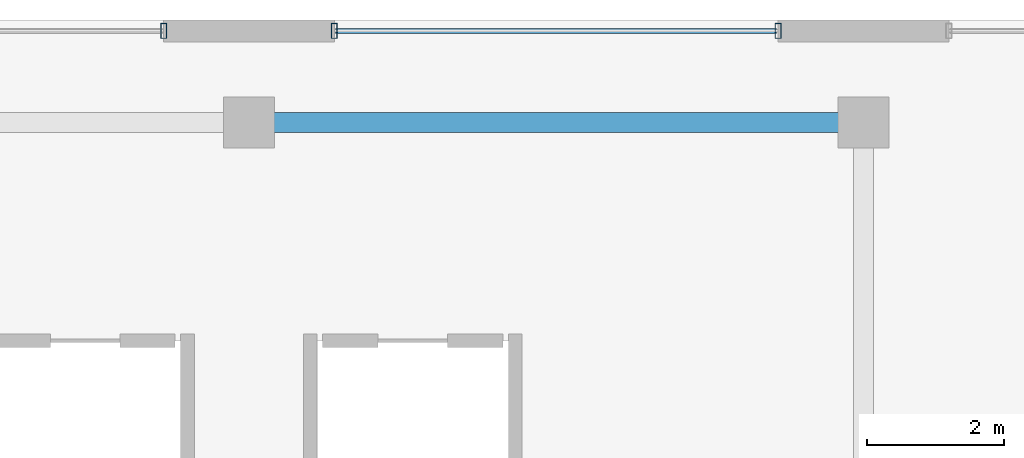
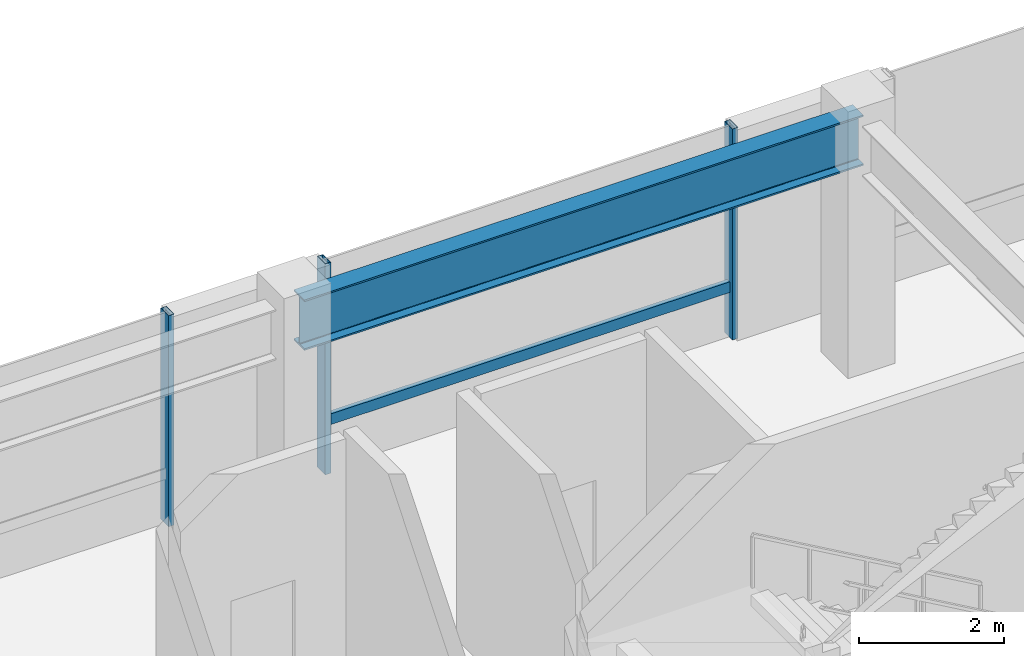
# One storey, part 7 of 24: 4 members, 1 beam, 2 elements without a shape of their own.
"""IFC4 building model written with IfcOpenShell, lengths in metres."""

from ifc_helpers import new_model, si_unit, direction, frame, origin, origin_2d, place, context, subcontext, project, spatial, hollow_rectangle, i_section, extrude, material, material_profile, profile_set, type_object, element, aggregate, save


model = new_model("IFC4")

# Units and contexts
model_context = context("Model", 3, precision=1e-05, world=origin(), true_north=direction((0.0, 1.0)))
body_context = subcontext(model_context, "Body", "Model", "MODEL_VIEW")
ifc_project = project(units=[si_unit("LENGTHUNIT", "METRE"), si_unit("AREAUNIT", "SQUARE_METRE"), si_unit("VOLUMEUNIT", "CUBIC_METRE"), si_unit("PLANEANGLEUNIT", "RADIAN"), si_unit("MASSUNIT", "GRAM", prefix="KILO")], contexts=[model_context])

# Site, building, storey
site_placement = place(None, origin())
site = spatial("IfcSite", under=ifc_project, at=site_placement, CompositionType="ELEMENT")
building_placement = place(site_placement, origin())
building = spatial("IfcBuilding", under=site, at=building_placement, Name="Thornwick Lancets Civic Towers", CompositionType="ELEMENT")
storey_placement = place(building_placement, frame((0.0, 0.0, 14.10009765625)))
storey = spatial("IfcBuildingStorey", under=building, at=storey_placement, Name="L03", CompositionType="ELEMENT", Elevation=14.10009765625)

# Beam
ifc_material_1 = material(Name="Steel S355JR", Category="steel")
ifc_material_profile_1 = material_profile(ifc_material_1, i_section(OverallWidth=0.293701171875, OverallDepth=0.850830078125, WebThickness=0.01611328125, FlangeThickness=0.02685546875, FilletRadius=0.017822265625, at=origin_2d()), Name="UKB 838x292x226")
ifc_profile_set_1 = profile_set([ifc_material_profile_1], Name="Steel S355JR")
beam_type = type_object("IfcBeamType", Name="BM_POD_838_226", PredefinedType="BEAM", material=ifc_profile_set_1)
beam_placement = place(storey_placement, frame((57.080078125, 48.0, 3.75439453125), z_axis=(1.0, 0.0, 0.0), x_axis=(0.0, 1.0, 0.0)))
element("IfcBeam", 1, at=beam_placement, inside=storey, type_object=beam_type, Name="BM-PODG-L03-12-13", PredefinedType="BEAM", context=body_context, shape_type="SweptSolid", body=[
    extrude(i_section(OverallWidth=0.293701171875, OverallDepth=0.850830078125, WebThickness=0.01611328125, FlangeThickness=0.02685546875, FilletRadius=0.017822265625, at=origin_2d()), origin(), (0.0, 0.0, 1.0), 8.919921875),
])

# Curtain wall, members
ifc_material_2 = material(Name="Terracotta-trimmed cascading podium ribbon curtain wall", Category="masonry")
curtain_wall_type = type_object("IfcCurtainWallType", Name="CW_SYS_02", PredefinedType="NOTDEFINED", material=ifc_material_2)
curtain_wall_1_placement = place(storey_placement, origin())
curtain_wall_1 = element("IfcCurtainWall", 2, at=curtain_wall_1_placement, inside=storey, type_object=curtain_wall_type, Name="L03 Curtain Wall CW-L03-POD-NC-S2", PredefinedType="NOTDEFINED")
ifc_material_3 = material(Name="Thermally broken bronze aluminium S355", Category="steel")
ifc_material_profile_2 = material_profile(ifc_material_3, hollow_rectangle(XDim=0.090087890625, YDim=0.219970703125, WallThickness=0.00634765625, at=origin_2d()), Name="RHS 220x90x6.3")
ifc_profile_set_2 = profile_set([ifc_material_profile_2], Name="Thermally broken bronze aluminium S355")
member_type_1 = type_object("IfcMemberType", Name="CW_MUL_220", PredefinedType="MULLION", material=ifc_profile_set_2)
member_1_placement = place(storey_placement, frame((64.75, 49.340087890625, 0.0), z_axis=(0.0, 0.0, 1.0), x_axis=(1.0, 0.0, 0.0)))
member_1 = element("IfcMember", 3, at=member_1_placement, type_object=member_type_1, Name="CW-L03-POD-NC-S2 Mullion 0", PredefinedType="MULLION", context=body_context, shape_type="SweptSolid", body=[
    extrude(hollow_rectangle(XDim=0.090087890625, YDim=0.219970703125, WallThickness=0.00634765625, at=origin_2d()), origin(), (0.0, 0.0, 1.0), 3.559814453125),
])
member_2_placement = place(storey_placement, frame((58.25, 49.340087890625, 0.0), z_axis=(0.0, 0.0, 1.0), x_axis=(1.0, 0.0, 0.0)))
member_2 = element("IfcMember", 4, at=member_2_placement, type_object=member_type_1, Name="CW-L03-POD-NC-S2 Mullion 1", PredefinedType="MULLION", context=body_context, shape_type="SweptSolid", body=[
    extrude(hollow_rectangle(XDim=0.090087890625, YDim=0.219970703125, WallThickness=0.00634765625, at=origin_2d()), origin(), (0.0, 0.0, 1.0), 3.559814453125),
])

# Curtain wall, member
curtain_wall_2_placement = place(storey_placement, origin())
curtain_wall_2 = element("IfcCurtainWall", 5, at=curtain_wall_2_placement, inside=storey, type_object=curtain_wall_type, Name="L03 Curtain Wall CW-L03-POD-NC-S3", PredefinedType="NOTDEFINED")
member_3_placement = place(storey_placement, frame((55.75, 49.340087890625, 0.0), z_axis=(0.0, 0.0, 1.0), x_axis=(1.0, 0.0, 0.0)))
member_3 = element("IfcMember", 6, at=member_3_placement, type_object=member_type_1, Name="CW-L03-POD-NC-S3 Mullion 0", PredefinedType="MULLION", context=body_context, shape_type="SweptSolid", body=[
    extrude(hollow_rectangle(XDim=0.090087890625, YDim=0.219970703125, WallThickness=0.00634765625, at=origin_2d()), origin(), (0.0, 0.0, 1.0), 3.559814453125),
])
aggregate(curtain_wall_2, [member_3])

# Member
ifc_material_profile_3 = material_profile(ifc_material_3, hollow_rectangle(XDim=0.074951171875, YDim=0.179931640625, WallThickness=0.006103515625, at=origin_2d()), Name="RHS 180x75x6")
ifc_profile_set_3 = profile_set([ifc_material_profile_3], Name="Thermally broken bronze aluminium S355")
member_type_2 = type_object("IfcMemberType", Name="CW_TRN_180", PredefinedType="USERDEFINED", material=ifc_profile_set_3)
member_4_placement = place(storey_placement, frame((64.72998046875, 49.340087890625, 0.849853515625), z_axis=(-1.0, 0.0, 0.0), x_axis=(0.0, -1.0, 0.0)))
member_4 = element("IfcMember", 7, at=member_4_placement, type_object=member_type_2, Name="CW-L03-POD-NC-S2 Transom 0", ObjectType="TRANSOM", PredefinedType="USERDEFINED", context=body_context, shape_type="SweptSolid", body=[
    extrude(hollow_rectangle(XDim=0.074951171875, YDim=0.179931640625, WallThickness=0.006103515625, at=origin_2d()), origin(), (0.0, 0.0, 1.0), 6.4599609375),
])

aggregate(curtain_wall_1, [member_1, member_2, member_4])

save(model, "model.ifc")
